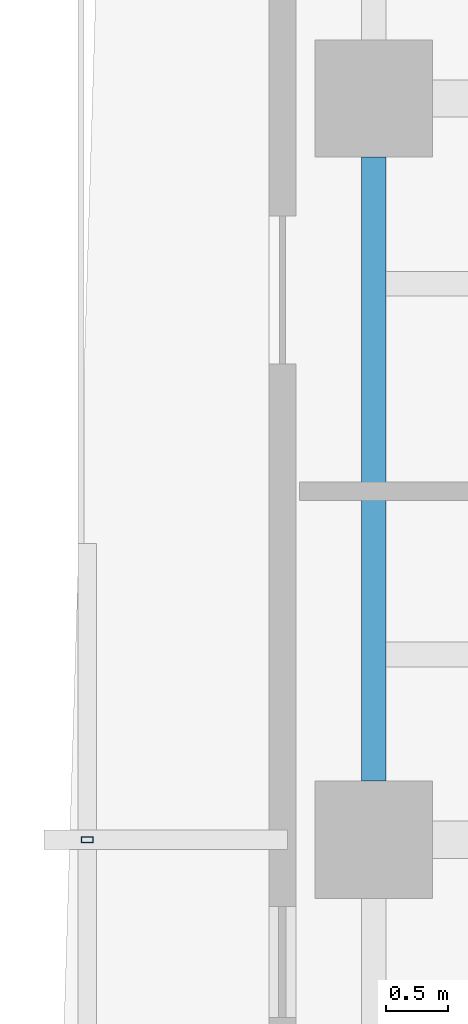
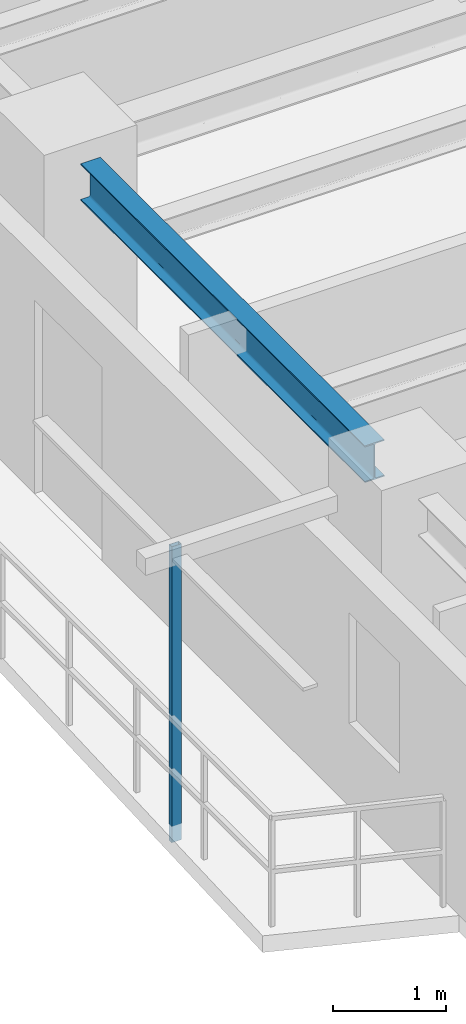
# One storey, part 4 of 18: 1 beam, 1 member.
"""IFC4 building model written with IfcOpenShell, lengths in metres."""

from ifc_helpers import new_model, si_unit, direction, frame, origin, origin_2d, place, context, subcontext, project, spatial, hollow_rectangle, i_section, extrude, source, transform, mapped, material, material_profile, profile_set, type_object, element, save


model = new_model("IFC4")

# Units and contexts
model_context = context("Model", 3, precision=1e-05, world=origin(), true_north=direction((0.0, 1.0)))
body_context = subcontext(model_context, "Body", "Model", "MODEL_VIEW")
ifc_project = project(units=[si_unit("LENGTHUNIT", "METRE"), si_unit("AREAUNIT", "SQUARE_METRE"), si_unit("VOLUMEUNIT", "CUBIC_METRE"), si_unit("PLANEANGLEUNIT", "RADIAN"), si_unit("MASSUNIT", "GRAM", prefix="KILO"), si_unit("THERMODYNAMICTEMPERATUREUNIT", "KELVIN"), si_unit("POWERUNIT", "WATT")], contexts=[model_context])

# Site, building, storey
site_placement = place(None, origin())
site = spatial("IfcSite", under=ifc_project, at=site_placement, CompositionType="ELEMENT")
building_placement = place(site_placement, origin())
building = spatial("IfcBuilding", under=site, at=building_placement, Name="Qiaomeng Ring Towers", CompositionType="ELEMENT")
storey_placement = place(building_placement, frame((0.0, 0.0, 182.75)))
storey = spatial("IfcBuildingStorey", under=building, at=storey_placement, Name="L53", CompositionType="ELEMENT", Elevation=182.75)

# Beam
ifc_material_1 = material(Name="Steel Q355B", Category="steel")
ifc_material_profile_1 = material_profile(ifc_material_1, i_section(OverallWidth=0.199951171875, OverallDepth=0.39990234375, WebThickness=0.008056640625, FlangeThickness=0.012939453125, FilletRadius=0.01611328125, at=origin_2d()), Name="HN 400x200x8x13")
ifc_profile_set_1 = profile_set([ifc_material_profile_1], Name="Steel Q355B")
beam_type = type_object("IfcBeamType", Name="STR-BM-HN400", PredefinedType="SPANDREL", material=ifc_profile_set_1)
shared_shape_1 = source(origin(), body_context, "Body", "SweptSolid", [
    extrude(i_section(OverallWidth=0.199951171875, OverallDepth=0.39990234375, WebThickness=0.008056640625, FlangeThickness=0.012939453125, FilletRadius=0.01611328125, at=origin_2d()), origin(), (0.0, 0.0, 1.0), 5.0517578125),
])
beam_placement = place(storey_placement, frame((1.949951171875, 25.52587890625, 2.830078125), z_axis=(0.0, -1.0, 0.0), x_axis=(1.0, 0.0, 0.0)))
element("IfcBeam", 1, at=beam_placement, inside=storey, type_object=beam_type, Name="L53 beam STR-SP-L53-T1-W3-W2", PredefinedType="SPANDREL", context=body_context, shape_type="MappedRepresentation", body=[
    mapped(shared_shape_1, transform((0.0, 0.0, 0.0), x_axis=(1.0, 0.0, 0.0), y_axis=(0.0, 1.0, 0.0), z_axis=(0.0, 0.0, 1.0), scale=1.0)),
])

# Member
ifc_material_2 = material(Name="Stainless steel 316", Category="steel")
ifc_material_profile_2 = material_profile(ifc_material_2, hollow_rectangle(XDim=0.050048828125, YDim=0.10009765625, WallThickness=0.00390625, at=origin_2d()), Name="SS TRELLIS 100x50")
ifc_profile_set_2 = profile_set([ifc_material_profile_2], Name="Stainless steel 316")
member_type = type_object("IfcMemberType", Name="ARC-TR-POST2", PredefinedType="STUD", material=ifc_profile_set_2)
shared_shape_2 = source(origin(), body_context, "Body", "SweptSolid", [
    extrude(hollow_rectangle(XDim=0.050048828125, YDim=0.10009765625, WallThickness=0.00390625, at=origin_2d()), origin(), (0.0, 0.0, 1.0), 3.2099609375),
])
member_placement = place(storey_placement, frame((-0.3701171875, 20.0, -0.179931640625), z_axis=(0.0, 0.0, 1.0), x_axis=(0.0, 1.0, 0.0)))
element("IfcMember", 2, at=member_placement, inside=storey, type_object=member_type, Name="L53 Outer Ventilated Trellis Post W", PredefinedType="STUD", context=body_context, shape_type="MappedRepresentation", body=[
    mapped(shared_shape_2, transform((0.0, 0.0, 0.0), x_axis=(1.0, 0.0, 0.0), y_axis=(0.0, 1.0, 0.0), z_axis=(0.0, 0.0, 1.0), scale=1.0)),
])

save(model, "model.ifc")
